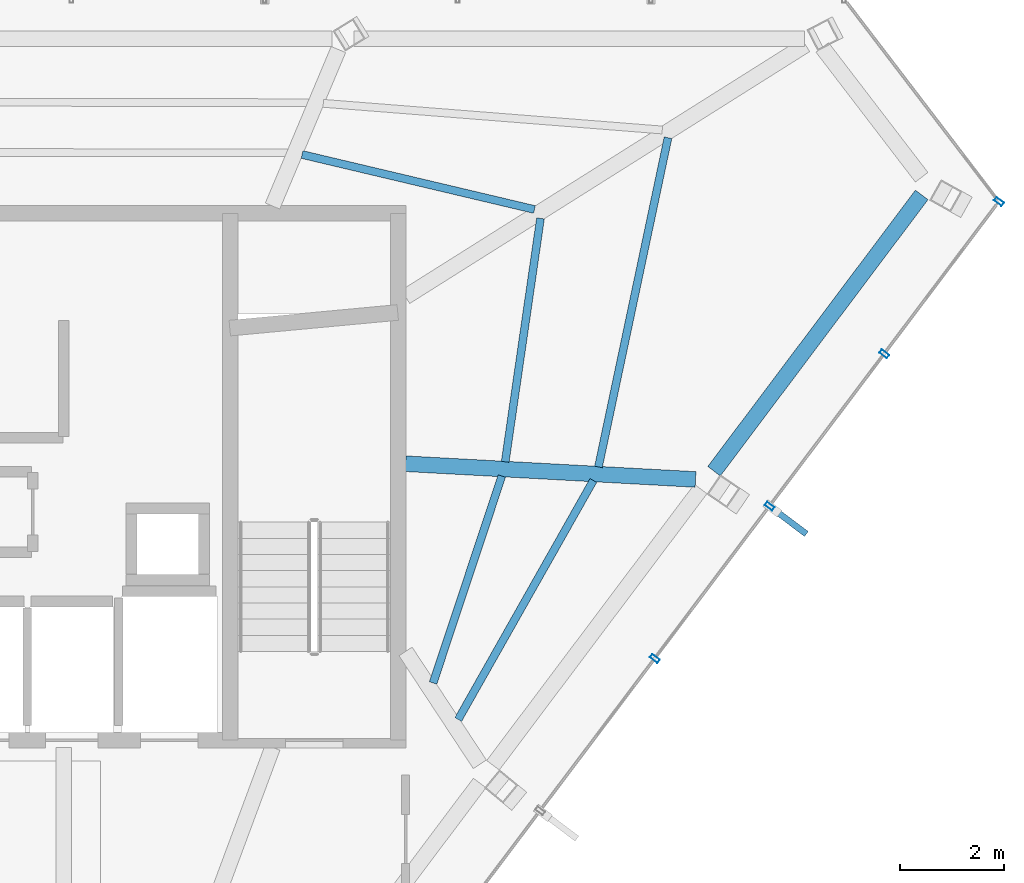
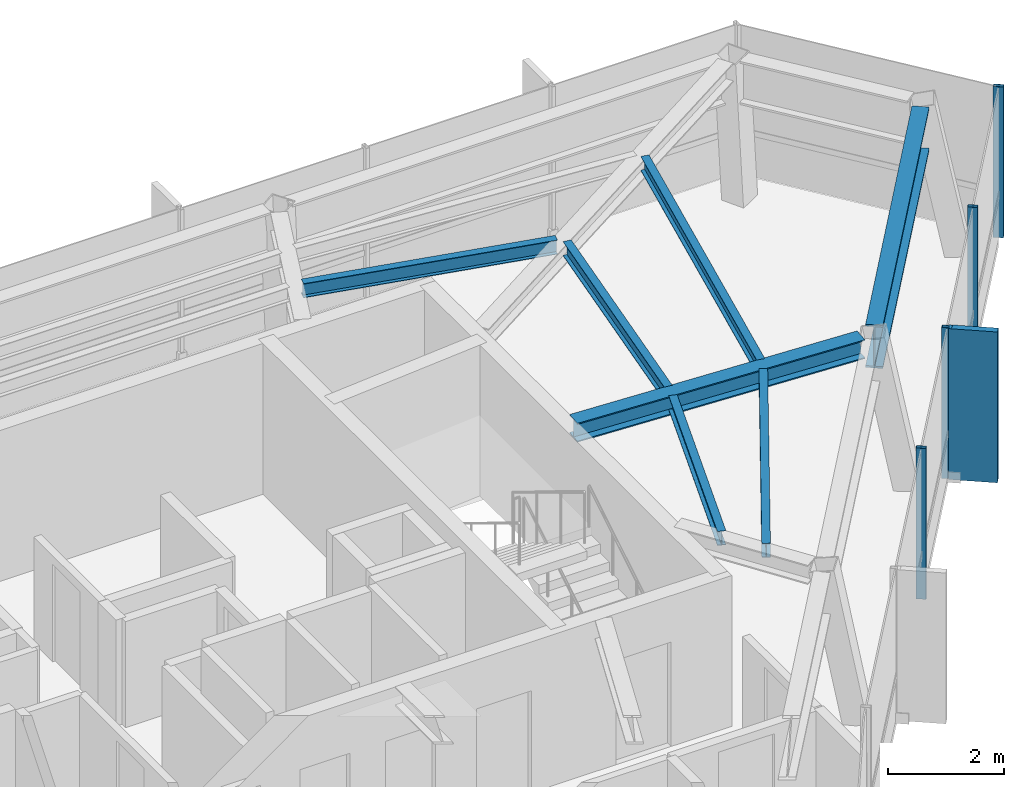
# One storey, part 17 of 22: 7 beams, 5 members, 1 element without a shape of its own.
"""IFC4 building model written with IfcOpenShell, lengths in metres."""

from ifc_helpers import new_model, si_unit, direction, frame, origin, origin_2d, place, context, subcontext, project, spatial, rectangle, hollow_rectangle, i_section, extrude, material, layer, layer_set, material_profile, profile_set, type_object, element, aggregate, save


model = new_model("IFC4")

# Units and contexts
model_context = context("Model", 3, precision=1e-05, world=origin(), true_north=direction((0.0, 1.0)))
body_context = subcontext(model_context, "Body", "Model", "MODEL_VIEW")
ifc_project = project(units=[si_unit("LENGTHUNIT", "METRE"), si_unit("AREAUNIT", "SQUARE_METRE"), si_unit("VOLUMEUNIT", "CUBIC_METRE"), si_unit("PLANEANGLEUNIT", "RADIAN"), si_unit("MASSUNIT", "GRAM", prefix="KILO")], contexts=[model_context])

# Site, building, storey
site_placement = place(None, origin())
site = spatial("IfcSite", under=ifc_project, at=site_placement, CompositionType="ELEMENT")
building_placement = place(site_placement, origin())
building = spatial("IfcBuilding", under=site, at=building_placement, Name="Zarrinselat Tower", CompositionType="ELEMENT")
storey_placement = place(building_placement, frame((0.0, 0.0, 295.800048828125)))
storey = spatial("IfcBuildingStorey", under=building, at=storey_placement, Name="L76", CompositionType="ELEMENT", Elevation=295.800048828125)

# Beams
ifc_material_1 = material(Name="Steel S355J2", Category="steel")
ifc_material_profile_1 = material_profile(ifc_material_1, i_section(OverallWidth=0.300048828125, OverallDepth=0.39990234375, WebThickness=0.013427734375, FlangeThickness=0.02392578125, at=origin_2d()), Name="HEB 400")
ifc_profile_set_1 = profile_set([ifc_material_profile_1], Name="Steel S355J2")
beam_type_1 = type_object("IfcBeamType", Name="BM-HEB400", PredefinedType="BEAM", material=ifc_profile_set_1)
beam_1_placement = place(storey_placement, frame((48.35009765625, 38.60009765625, 2.97998046875), z_axis=(0.998530240381, -0.054197408094, 0.0), x_axis=(0.054197408094, 0.998530240381, 0.0)))
element("IfcBeam", 1, at=beam_1_placement, inside=storey, type_object=beam_type_1, Name="L76 Radial Primary Girder RG14", PredefinedType="BEAM", context=body_context, shape_type="SweptSolid", body=[
    extrude(i_section(OverallWidth=0.300048828125, OverallDepth=0.39990234375, WebThickness=0.013427734375, FlangeThickness=0.02392578125, at=origin_2d()), origin(), (0.0, 0.0, 1.0), 5.56787109375),
])
ifc_material_2 = material(Name="Steel S460M", Category="steel")
ifc_material_profile_2 = material_profile(ifc_material_2, i_section(OverallWidth=0.302001953125, OverallDepth=0.909912109375, WebThickness=0.02099609375, FlangeThickness=0.0400390625, at=origin_2d()), Name="HEM 900")
ifc_profile_set_2 = profile_set([ifc_material_profile_2], Name="Steel S460M")
beam_type_2 = type_object("IfcBeamType", Name="BM-HEM900", PredefinedType="BEAM", material=ifc_profile_set_2)
beam_2_placement = place(storey_placement, frame((54.264404296875, 38.456298828125, 2.724853515625), z_axis=(0.600830847611, 0.799376189638, 0.0), x_axis=(-0.799376189638, 0.600830847611, 0.0)))
element("IfcBeam", 2, at=beam_2_placement, inside=storey, type_object=beam_type_2, Name="L76 Perimeter Spandrel Girder SP14", PredefinedType="BEAM", context=body_context, shape_type="SweptSolid", body=[
    extrude(i_section(OverallWidth=0.302001953125, OverallDepth=0.909912109375, WebThickness=0.02099609375, FlangeThickness=0.0400390625, at=origin_2d()), origin(), (0.0, 0.0, 1.0), 6.62646484375),
])
ifc_material_3 = material(Name="Steel S355J2", Category="steel")
ifc_material_profile_3 = material_profile(ifc_material_3, i_section(OverallWidth=0.14990234375, OverallDepth=0.300048828125, WebThickness=0.007080078125, FlangeThickness=0.0107421875, at=origin_2d()), Name="IPE 300")
ifc_profile_set_3 = profile_set([ifc_material_profile_3], Name="Steel S355J2")
beam_type_3 = type_object("IfcBeamType", Name="BM-IPE300", PredefinedType="JOIST", material=ifc_profile_set_3)
beam_3_placement = place(storey_placement, frame((49.358642578125, 33.695068359375, 3.030029296875), z_axis=(0.492179466951, 0.870493752023, 0.0), x_axis=(-0.870493752023, 0.492179466951, 0.0)))
element("IfcBeam", 3, at=beam_3_placement, inside=storey, type_object=beam_type_3, Name="L76 Composite Floor Joist 4-1", PredefinedType="JOIST", context=body_context, shape_type="SweptSolid", body=[
    extrude(i_section(OverallWidth=0.14990234375, OverallDepth=0.300048828125, WebThickness=0.007080078125, FlangeThickness=0.0107421875, at=origin_2d()), origin(), (0.0, 0.0, 1.0), 5.265869140625),
])
beam_4_placement = place(storey_placement, frame((48.878173828125, 34.397705078125, 3.030029296875), z_axis=(0.315281414047, 0.948998224422, 0.0), x_axis=(-0.948998224422, 0.315281414047, 0.0)))
element("IfcBeam", 4, at=beam_4_placement, inside=storey, type_object=beam_type_3, Name="L76 Composite Floor Joist 4-2", PredefinedType="JOIST", context=body_context, shape_type="SweptSolid", body=[
    extrude(i_section(OverallWidth=0.14990234375, OverallDepth=0.300048828125, WebThickness=0.007080078125, FlangeThickness=0.0107421875, at=origin_2d()), origin(), (0.0, 0.0, 1.0), 4.179931640625),
])
beam_5_placement = place(storey_placement, frame((52.04833984375, 38.537841796875, 3.030029296875), z_axis=(0.206693193557, 0.978405807289, 0.0), x_axis=(-0.978405807289, 0.206693193557, 0.0)))
element("IfcBeam", 5, at=beam_5_placement, inside=storey, type_object=beam_type_3, Name="L76 Composite Floor Joist 5-1", PredefinedType="JOIST", context=body_context, shape_type="SweptSolid", body=[
    extrude(i_section(OverallWidth=0.14990234375, OverallDepth=0.300048828125, WebThickness=0.007080078125, FlangeThickness=0.0107421875, at=origin_2d()), origin(), (0.0, 0.0, 1.0), 6.45166015625),
])
beam_6_placement = place(storey_placement, frame((50.260498046875, 38.635986328125, 3.030029296875), z_axis=(0.143450382443, 0.989657510342, 0.0), x_axis=(-0.989657510342, 0.143450382443, 0.0)))
element("IfcBeam", 6, at=beam_6_placement, inside=storey, type_object=beam_type_3, Name="L76 Composite Floor Joist 5-2", PredefinedType="JOIST", context=body_context, shape_type="SweptSolid", body=[
    extrude(i_section(OverallWidth=0.14990234375, OverallDepth=0.300048828125, WebThickness=0.007080078125, FlangeThickness=0.0107421875, at=origin_2d()), origin(), (0.0, 0.0, 1.0), 4.716064453125),
])
beam_7_placement = place(storey_placement, frame((46.365478515625, 44.528076171875, 3.030029296875), z_axis=(0.973141621315, -0.230207265013, 0.0), x_axis=(0.230207265013, 0.973141621315, 0.0)))
element("IfcBeam", 7, at=beam_7_placement, inside=storey, type_object=beam_type_3, Name="L76 Composite Floor Joist 6-2", PredefinedType="JOIST", context=body_context, shape_type="SweptSolid", body=[
    extrude(i_section(OverallWidth=0.14990234375, OverallDepth=0.300048828125, WebThickness=0.007080078125, FlangeThickness=0.0107421875, at=origin_2d()), origin(), (0.0, 0.0, 1.0), 4.578369140625),
])

# Curtain wall, members
ifc_material_4 = material(Name="Extruded Aluminium Alloy EN AW-6063 T6", Category="aluminium")
ifc_layer = layer(ifc_material_4, 0.199951171875)
ifc_layer_set = layer_set([ifc_layer], Name="Extruded Aluminium Alloy EN AW-6063 T6")
curtain_wall_type = type_object("IfcCurtainWallType", Name="CWS-BLADE", PredefinedType="NOTDEFINED", material=ifc_layer_set)
curtain_wall_placement = place(storey_placement, origin())
curtain_wall = element("IfcCurtainWall", 8, at=curtain_wall_placement, inside=storey, type_object=curtain_wall_type, Name="L76 Unitised Curtain Wall CW-L76-E05", PredefinedType="NOTDEFINED")
ifc_material_5 = material(Name="Extruded Aluminium Alloy EN AW-6063 T6", Category="aluminium")
ifc_material_profile_4 = material_profile(ifc_material_5, hollow_rectangle(XDim=0.080078125, YDim=0.179931640625, WallThickness=0.0048828125, at=origin_2d()), Name="RHS 180x80x5")
ifc_profile_set_4 = profile_set([ifc_material_profile_4], Name="Extruded Aluminium Alloy EN AW-6063 T6")
member_type_1 = type_object("IfcMemberType", Name="MEM-CW-MUL", PredefinedType="MULLION", material=ifc_profile_set_4)
member_1_placement = place(storey_placement, frame((53.12841796875, 34.865234375, 0.0), z_axis=(0.0, 0.0, 1.0), x_axis=(0.601672649155, 0.798742776655, 0.0)))
member_1 = element("IfcMember", 9, at=member_1_placement, type_object=member_type_1, Name="CW-L76-E05 Mullion 6", PredefinedType="MULLION", context=body_context, shape_type="SweptSolid", body=[
    extrude(hollow_rectangle(XDim=0.080078125, YDim=0.179931640625, WallThickness=0.0048828125, at=origin_2d()), origin(), (0.0, 0.0, 1.0), 3.179931640625),
])
member_2_placement = place(storey_placement, frame((55.328125, 37.785400390625, 0.0), z_axis=(0.0, 0.0, 1.0), x_axis=(0.601672649155, 0.798742776655, 0.0)))
member_2 = element("IfcMember", 10, at=member_2_placement, type_object=member_type_1, Name="CW-L76-E05 Mullion 7", PredefinedType="MULLION", context=body_context, shape_type="SweptSolid", body=[
    extrude(hollow_rectangle(XDim=0.080078125, YDim=0.179931640625, WallThickness=0.0048828125, at=origin_2d()), origin(), (0.0, 0.0, 1.0), 3.179931640625),
])
member_3_placement = place(storey_placement, frame((57.52783203125, 40.70556640625, 0.0), z_axis=(0.0, 0.0, 1.0), x_axis=(0.601672649155, 0.798742776655, 0.0)))
member_3 = element("IfcMember", 11, at=member_3_placement, type_object=member_type_1, Name="CW-L76-E05 Mullion 8", PredefinedType="MULLION", context=body_context, shape_type="SweptSolid", body=[
    extrude(hollow_rectangle(XDim=0.080078125, YDim=0.179931640625, WallThickness=0.0048828125, at=origin_2d()), origin(), (0.0, 0.0, 1.0), 3.179931640625),
])
member_4_placement = place(storey_placement, frame((59.7275390625, 43.625732421875, 0.0), z_axis=(0.0, 0.0, 1.0), x_axis=(0.601672649155, 0.798742776655, 0.0)))
member_4 = element("IfcMember", 12, at=member_4_placement, type_object=member_type_1, Name="CW-L76-E05 Mullion 9", PredefinedType="MULLION", context=body_context, shape_type="SweptSolid", body=[
    extrude(hollow_rectangle(XDim=0.080078125, YDim=0.179931640625, WallThickness=0.0048828125, at=origin_2d()), origin(), (0.0, 0.0, 1.0), 3.179931640625),
])
ifc_material_6 = material(Name="Honed Cream Travertine Stone", Category="masonry")
ifc_material_profile_5 = material_profile(ifc_material_6, rectangle(XDim=0.1201171875, YDim=0.85009765625, at=origin_2d()), Name="FIN 850x120")
ifc_profile_set_5 = profile_set([ifc_material_profile_5], Name="Honed Cream Travertine Stone")
member_type_2 = type_object("IfcMemberType", Name="MEM-STONE-FIN", PredefinedType="USERDEFINED", material=ifc_profile_set_5)
member_5_placement = place(storey_placement, frame((55.695556640625, 37.508544921875, 0.0), z_axis=(0.0, 0.0, 1.0), x_axis=(-0.601672649155, -0.798742776655, 0.0)))
member_5 = element("IfcMember", 13, at=member_5_placement, type_object=member_type_2, Name="L76 Stone Shading Fin CW-L76-E05-07", ObjectType="FIN", PredefinedType="USERDEFINED", context=body_context, shape_type="SweptSolid", body=[
    extrude(rectangle(XDim=0.1201171875, YDim=0.85009765625, at=origin_2d()), origin(), (0.0, 0.0, 1.0), 3.179931640625),
])
aggregate(curtain_wall, [member_1, member_2, member_5, member_3, member_4])

save(model, "model.ifc")
